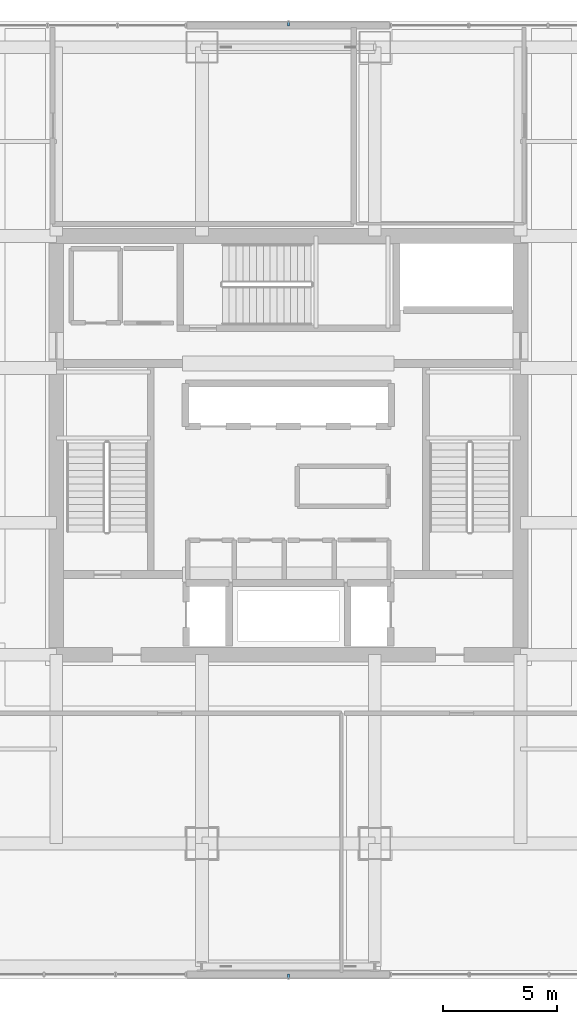
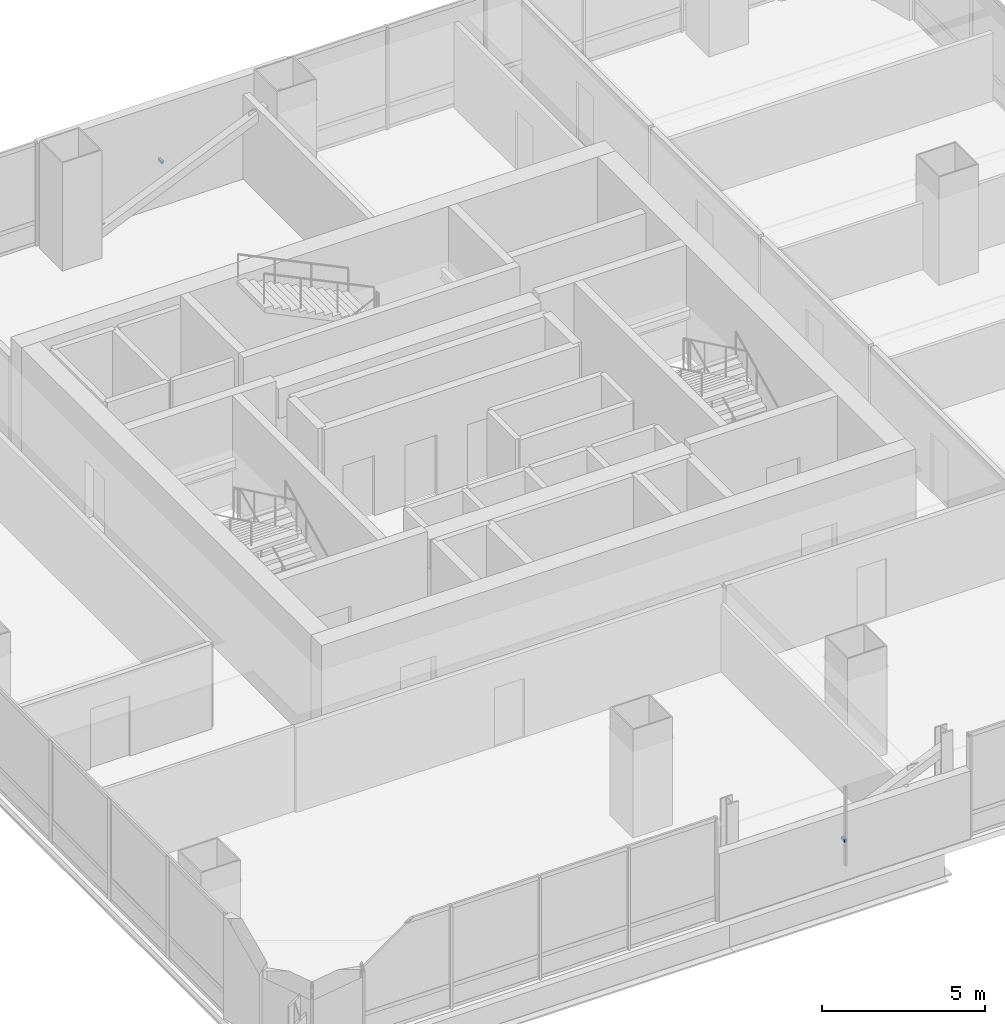
# One storey, part 33 of 41: 2 discrete accessories.
"""IFC4 building model written with IfcOpenShell, lengths in metres."""

from ifc_helpers import new_model, si_unit, direction, frame, origin, origin_2d, place, context, subcontext, project, spatial, rectangle, extrude, material, type_object, element, save


model = new_model("IFC4")

# Units and contexts
model_context = context("Model", 3, precision=1e-05, world=origin(), true_north=direction((0.0, 1.0)))
body_context = subcontext(model_context, "Body", "Model", "MODEL_VIEW")
ifc_project = project(units=[si_unit("LENGTHUNIT", "METRE"), si_unit("AREAUNIT", "SQUARE_METRE"), si_unit("VOLUMEUNIT", "CUBIC_METRE"), si_unit("PLANEANGLEUNIT", "RADIAN"), si_unit("MASSUNIT", "GRAM", prefix="KILO")], contexts=[model_context])

# Site, building, storey
site_placement = place(None, origin())
site = spatial("IfcSite", under=ifc_project, at=site_placement, CompositionType="ELEMENT")
building_placement = place(site_placement, origin())
building = spatial("IfcBuilding", under=site, at=building_placement, Name="Punatoya Terracotta Tower", CompositionType="ELEMENT")
storey_placement = place(building_placement, frame((0.0, 0.0, 220.800048828125)))
storey = spatial("IfcBuildingStorey", under=building, at=storey_placement, Name="L52", CompositionType="ELEMENT", Elevation=220.800048828125)

# Discrete accessories
ifc_material = material(Name="Steel S355", Category="steel")
discrete_accessory_type = type_object("IfcDiscreteAccessoryType", Name="ACC-BRK-220", PredefinedType="BRACKET", material=ifc_material)
for number, where, z_axis, x_axis, name in (
    (1, (0.0, -23.35009765625, 1.449951171875), (0.0, 0.0, 1.0), (1.0, 0.0, 0.0), "L52 Jali Fin Support Bracket S1"),
    (2, (0.0, 18.550048828125, 1.449951171875), (0.0, 0.0, 1.0), (-1.0, 0.0, 0.0), "L52 Jali Fin Support Bracket N1"),
):
    element("IfcDiscreteAccessory", number, at=place(storey_placement, frame(where, z_axis=z_axis, x_axis=x_axis)), inside=storey, type_object=discrete_accessory_type, Name=name, PredefinedType="BRACKET", context=body_context, shape_type="SweptSolid", body=[
        extrude(rectangle(XDim=0.090087890625, YDim=0.219970703125, at=origin_2d()), origin(), (0.0, 0.0, 1.0), 0.10009765625),
    ])

save(model, "model.ifc")
